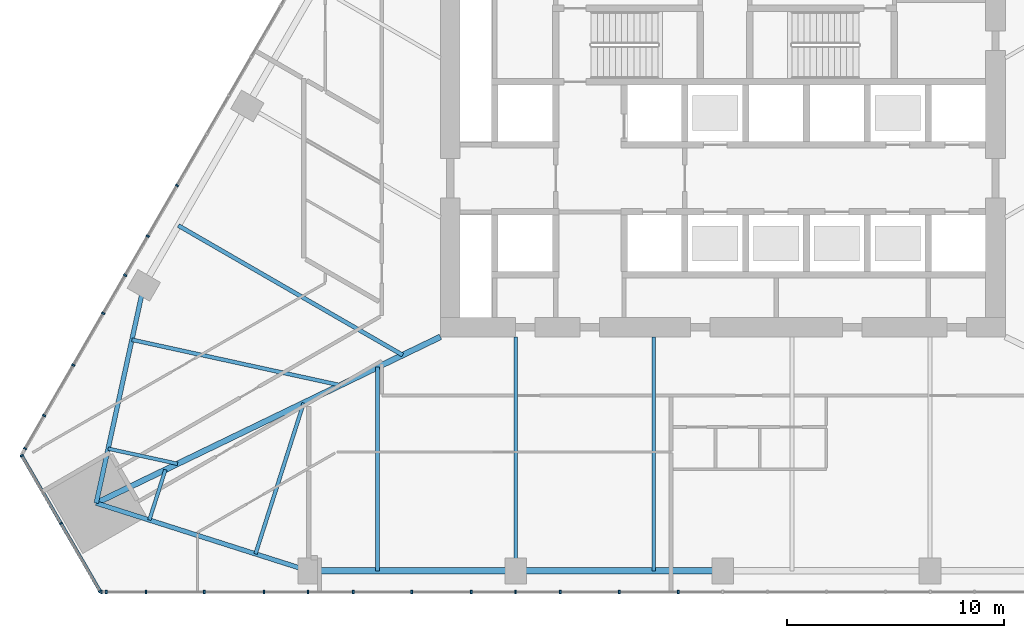
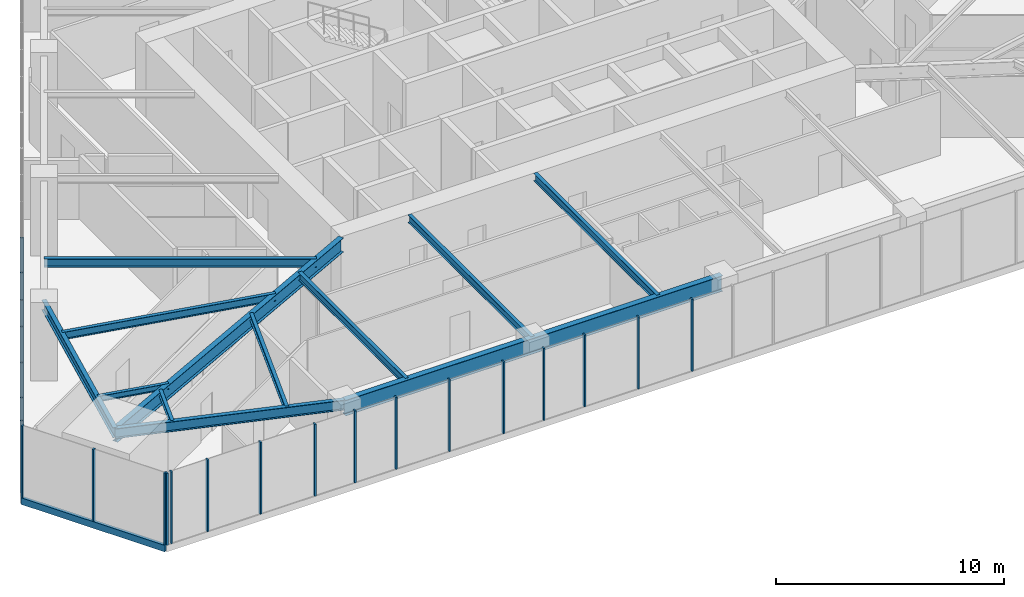
# One storey, part 2 of 26: 24 members, 12 beams, 3 elements without a shape of their own.
"""IFC4 building model written with IfcOpenShell, lengths in metres."""

from ifc_helpers import new_model, si_unit, direction, frame, origin, origin_2d, place, context, subcontext, project, spatial, rectangle, i_section, extrude, material, layer, layer_set, material_profile, profile_set, type_object, element, aggregate, save


model = new_model("IFC4")

# Units and contexts
model_context = context("Model", 3, precision=1e-05, world=origin(), true_north=direction((0.0, 1.0)))
body_context = subcontext(model_context, "Body", "Model", "MODEL_VIEW")
ifc_project = project(units=[si_unit("LENGTHUNIT", "METRE"), si_unit("AREAUNIT", "SQUARE_METRE"), si_unit("VOLUMEUNIT", "CUBIC_METRE"), si_unit("PLANEANGLEUNIT", "RADIAN"), si_unit("MASSUNIT", "GRAM", prefix="KILO")], contexts=[model_context])

# Site, building, storey
site_placement = place(None, origin())
site = spatial("IfcSite", under=ifc_project, at=site_placement, CompositionType="ELEMENT")
building_placement = place(site_placement, origin())
building = spatial("IfcBuilding", under=site, at=building_placement, Name="Firuza Gate Tower and Library", CompositionType="ELEMENT")
storey_placement = place(building_placement, frame((0.0, 0.0, 65.199951171875)))
storey = spatial("IfcBuildingStorey", under=building, at=storey_placement, Name="L14", CompositionType="ELEMENT", Elevation=65.199951171875)

# Curtain wall, members
ifc_material_1 = material(Name="Aluminium 6063-T6", Category="aluminium")
ifc_layer_1 = layer(ifc_material_1, 0.14990234375)
ifc_layer_set_1 = layer_set([ifc_layer_1], Name="Unitised curtain wall, offices")
curtain_wall_type_1 = type_object("IfcCurtainWallType", Name="Unitised curtain wall, offices", PredefinedType="NOTDEFINED", material=ifc_layer_set_1)
placement = place(storey_placement, origin())
curtain_wall_1 = element("IfcCurtainWall", 1, at=placement, inside=storey, type_object=curtain_wall_type_1, Name="CW1 L14 S face", PredefinedType="NOTDEFINED")
ifc_material_2 = material(Name="Aluminium 6063-T6", Category="aluminium")
ifc_material_profile_1 = material_profile(ifc_material_2, rectangle(XDim=0.14990234375, YDim=0.080078125, at=origin_2d()))
ifc_profile_set_1 = profile_set([ifc_material_profile_1], Name="Aluminium 6063-T6")
member_type_1 = type_object("IfcMemberType", Name="Curtain wall mullion 80x150", PredefinedType="MULLION", material=ifc_profile_set_1)
member_1_placement = place(storey_placement, frame((46.393310546875, 54.25390625, 0.150146484375), z_axis=(0.0, 0.0, 1.0), x_axis=(0.0, 1.0, 0.0)))
member_1 = element("IfcMember", 2, at=member_1_placement, type_object=member_type_1, Name="Mullion", PredefinedType="MULLION", context=body_context, shape_type="SweptSolid", body=[
    extrude(rectangle(XDim=0.14990234375, YDim=0.080078125, at=origin_2d()), origin(), (0.0, 0.0, 1.0), 3.849853515625),
])
member_2_placement = place(storey_placement, frame((51.127685546875, 54.25390625, 0.150146484375), z_axis=(0.0, 0.0, 1.0), x_axis=(0.0, 1.0, 0.0)))
member_2 = element("IfcMember", 3, at=member_2_placement, type_object=member_type_1, Name="Mullion", PredefinedType="MULLION", context=body_context, shape_type="SweptSolid", body=[
    extrude(rectangle(XDim=0.14990234375, YDim=0.080078125, at=origin_2d()), origin(), (0.0, 0.0, 1.0), 3.849853515625),
])
member_3_placement = place(storey_placement, frame((55.902099609375, 54.25390625, 0.150146484375), z_axis=(0.0, 0.0, 1.0), x_axis=(0.0, 1.0, 0.0)))
member_3 = element("IfcMember", 4, at=member_3_placement, type_object=member_type_1, Name="Mullion", PredefinedType="MULLION", context=body_context, shape_type="SweptSolid", body=[
    extrude(rectangle(XDim=0.14990234375, YDim=0.080078125, at=origin_2d()), origin(), (0.0, 0.0, 1.0), 3.849853515625),
])
member_4_placement = place(storey_placement, frame((60.6767578125, 54.25390625, 0.150146484375), z_axis=(0.0, 0.0, 1.0), x_axis=(0.0, 1.0, 0.0)))
member_4 = element("IfcMember", 5, at=member_4_placement, type_object=member_type_1, Name="Mullion", PredefinedType="MULLION", context=body_context, shape_type="SweptSolid", body=[
    extrude(rectangle(XDim=0.14990234375, YDim=0.080078125, at=origin_2d()), origin(), (0.0, 0.0, 1.0), 3.849853515625),
])
member_5_placement = place(storey_placement, frame((65.451171875, 54.25390625, 0.150146484375), z_axis=(0.0, 0.0, 1.0), x_axis=(0.0, 1.0, 0.0)))
member_5 = element("IfcMember", 6, at=member_5_placement, type_object=member_type_1, Name="Mullion", PredefinedType="MULLION", context=body_context, shape_type="SweptSolid", body=[
    extrude(rectangle(XDim=0.14990234375, YDim=0.080078125, at=origin_2d()), origin(), (0.0, 0.0, 1.0), 3.849853515625),
])
member_6_placement = place(storey_placement, frame((70.2255859375, 54.25390625, 0.150146484375), z_axis=(0.0, 0.0, 1.0), x_axis=(0.0, 1.0, 0.0)))
member_6 = element("IfcMember", 7, at=member_6_placement, type_object=member_type_1, Name="Mullion", PredefinedType="MULLION", context=body_context, shape_type="SweptSolid", body=[
    extrude(rectangle(XDim=0.14990234375, YDim=0.080078125, at=origin_2d()), origin(), (0.0, 0.0, 1.0), 3.849853515625),
])
member_7_placement = place(storey_placement, frame((46.619384765625, 54.25390625, 0.150146484375), z_axis=(0.0, 0.0, 1.0), x_axis=(0.0, 1.0, 0.0)))
member_7 = element("IfcMember", 8, at=member_7_placement, type_object=member_type_1, Name="Mullion", PredefinedType="MULLION", context=body_context, shape_type="SweptSolid", body=[
    extrude(rectangle(XDim=0.14990234375, YDim=0.080078125, at=origin_2d()), origin(), (0.0, 0.0, 1.0), 3.849853515625),
])
member_8_placement = place(storey_placement, frame((48.4462890625, 54.25390625, 0.150146484375), z_axis=(0.0, 0.0, 1.0), x_axis=(0.0, 1.0, 0.0)))
member_8 = element("IfcMember", 9, at=member_8_placement, type_object=member_type_1, Name="Mullion", PredefinedType="MULLION", context=body_context, shape_type="SweptSolid", body=[
    extrude(rectangle(XDim=0.14990234375, YDim=0.080078125, at=origin_2d()), origin(), (0.0, 0.0, 1.0), 3.849853515625),
])
member_9_placement = place(storey_placement, frame((53.88134765625, 54.25390625, 0.150146484375), z_axis=(0.0, 0.0, 1.0), x_axis=(0.0, 1.0, 0.0)))
member_9 = element("IfcMember", 10, at=member_9_placement, type_object=member_type_1, Name="Mullion", PredefinedType="MULLION", context=body_context, shape_type="SweptSolid", body=[
    extrude(rectangle(XDim=0.14990234375, YDim=0.080078125, at=origin_2d()), origin(), (0.0, 0.0, 1.0), 3.849853515625),
])
member_10_placement = place(storey_placement, frame((57.980712890625, 54.25390625, 0.150146484375), z_axis=(0.0, 0.0, 1.0), x_axis=(0.0, 1.0, 0.0)))
member_10 = element("IfcMember", 11, at=member_10_placement, type_object=member_type_1, Name="Mullion", PredefinedType="MULLION", context=body_context, shape_type="SweptSolid", body=[
    extrude(rectangle(XDim=0.14990234375, YDim=0.080078125, at=origin_2d()), origin(), (0.0, 0.0, 1.0), 3.849853515625),
])
member_11_placement = place(storey_placement, frame((63.415771484375, 54.25390625, 0.150146484375), z_axis=(0.0, 0.0, 1.0), x_axis=(0.0, 1.0, 0.0)))
member_11 = element("IfcMember", 12, at=member_11_placement, type_object=member_type_1, Name="Mullion", PredefinedType="MULLION", context=body_context, shape_type="SweptSolid", body=[
    extrude(rectangle(XDim=0.14990234375, YDim=0.080078125, at=origin_2d()), origin(), (0.0, 0.0, 1.0), 3.849853515625),
])
member_12_placement = place(storey_placement, frame((67.51513671875, 54.25390625, 0.150146484375), z_axis=(0.0, 0.0, 1.0), x_axis=(0.0, 1.0, 0.0)))
member_12 = element("IfcMember", 13, at=member_12_placement, type_object=member_type_1, Name="Mullion", PredefinedType="MULLION", context=body_context, shape_type="SweptSolid", body=[
    extrude(rectangle(XDim=0.14990234375, YDim=0.080078125, at=origin_2d()), origin(), (0.0, 0.0, 1.0), 3.849853515625),
])
member_13_placement = place(storey_placement, frame((72.9501953125, 54.25390625, 0.150146484375), z_axis=(0.0, 0.0, 1.0), x_axis=(0.0, 1.0, 0.0)))
member_13 = element("IfcMember", 14, at=member_13_placement, type_object=member_type_1, Name="Mullion", PredefinedType="MULLION", context=body_context, shape_type="SweptSolid", body=[
    extrude(rectangle(XDim=0.14990234375, YDim=0.080078125, at=origin_2d()), origin(), (0.0, 0.0, 1.0), 3.849853515625),
])
aggregate(curtain_wall_1, [member_1, member_2, member_3, member_4, member_5, member_6, member_7, member_8, member_9, member_10, member_11, member_12, member_13])

curtain_wall_2 = element("IfcCurtainWall", 15, at=placement, inside=storey, type_object=curtain_wall_type_1, Name="CW1 L14 W face", PredefinedType="NOTDEFINED")
member_14_placement = place(storey_placement, frame((49.87158203125, 72.96875, 0.150146484375), z_axis=(0.0, 0.0, 1.0), x_axis=(0.866025403784, -0.5, 0.0)))
member_14 = element("IfcMember", 16, at=member_14_placement, type_object=member_type_1, Name="Mullion", PredefinedType="MULLION", context=body_context, shape_type="SweptSolid", body=[
    extrude(rectangle(XDim=0.14990234375, YDim=0.080078125, at=origin_2d()), origin(), (0.0, 0.0, 1.0), 3.849853515625),
])
member_15_placement = place(storey_placement, frame((47.484375, 68.833984375, 0.150146484375), z_axis=(0.0, 0.0, 1.0), x_axis=(0.866025403784, -0.5, 0.0)))
member_15 = element("IfcMember", 17, at=member_15_placement, type_object=member_type_1, Name="Mullion", PredefinedType="MULLION", context=body_context, shape_type="SweptSolid", body=[
    extrude(rectangle(XDim=0.14990234375, YDim=0.080078125, at=origin_2d()), origin(), (0.0, 0.0, 1.0), 3.849853515625),
])
member_16_placement = place(storey_placement, frame((45.09716796875, 64.698974609375, 0.150146484375), z_axis=(0.0, 0.0, 1.0), x_axis=(0.866025403784, -0.5, 0.0)))
member_16 = element("IfcMember", 18, at=member_16_placement, type_object=member_type_1, Name="Mullion", PredefinedType="MULLION", context=body_context, shape_type="SweptSolid", body=[
    extrude(rectangle(XDim=0.14990234375, YDim=0.080078125, at=origin_2d()), origin(), (0.0, 0.0, 1.0), 3.849853515625),
])
member_17_placement = place(storey_placement, frame((48.523681640625, 70.634033203125, 0.150146484375), z_axis=(0.0, 0.0, 1.0), x_axis=(0.866025403784, -0.5, 0.0)))
member_17 = element("IfcMember", 19, at=member_17_placement, type_object=member_type_1, Name="Mullion", PredefinedType="MULLION", context=body_context, shape_type="SweptSolid", body=[
    extrude(rectangle(XDim=0.14990234375, YDim=0.080078125, at=origin_2d()), origin(), (0.0, 0.0, 1.0), 3.849853515625),
])
member_18_placement = place(storey_placement, frame((46.47412109375, 67.083740234375, 0.150146484375), z_axis=(0.0, 0.0, 1.0), x_axis=(0.866025403784, -0.5, 0.0)))
member_18 = element("IfcMember", 20, at=member_18_placement, type_object=member_type_1, Name="Mullion", PredefinedType="MULLION", context=body_context, shape_type="SweptSolid", body=[
    extrude(rectangle(XDim=0.14990234375, YDim=0.080078125, at=origin_2d()), origin(), (0.0, 0.0, 1.0), 3.849853515625),
])
member_19_placement = place(storey_placement, frame((43.756591796875, 62.376953125, 0.150146484375), z_axis=(0.0, 0.0, 1.0), x_axis=(0.866025403784, -0.5, 0.0)))
member_19 = element("IfcMember", 21, at=member_19_placement, type_object=member_type_1, Name="Mullion", PredefinedType="MULLION", context=body_context, shape_type="SweptSolid", body=[
    extrude(rectangle(XDim=0.14990234375, YDim=0.080078125, at=origin_2d()), origin(), (0.0, 0.0, 1.0), 3.849853515625),
])
member_20_placement = place(storey_placement, frame((42.875732421875, 60.85107421875, 0.150146484375), z_axis=(0.0, 0.0, 1.0), x_axis=(0.866025403784, -0.5, 0.0)))
member_20 = element("IfcMember", 22, at=member_20_placement, type_object=member_type_1, Name="Mullion", PredefinedType="MULLION", context=body_context, shape_type="SweptSolid", body=[
    extrude(rectangle(XDim=0.14990234375, YDim=0.080078125, at=origin_2d()), origin(), (0.0, 0.0, 1.0), 3.849853515625),
])
aggregate(curtain_wall_2, [member_14, member_15, member_16, member_17, member_18, member_19, member_20])

ifc_material_3 = material(Name="Aluminium 6063-T6", Category="aluminium")
ifc_layer_2 = layer(ifc_material_3, 0.14990234375)
ifc_layer_set_2 = layer_set([ifc_layer_2], Name="Corner curtain wall, chamfers")
curtain_wall_type_2 = type_object("IfcCurtainWallType", Name="Corner curtain wall, chamfers", PredefinedType="NOTDEFINED", material=ifc_layer_set_2)
curtain_wall_3 = element("IfcCurtainWall", 23, at=placement, inside=storey, type_object=curtain_wall_type_2, Name="CW4 L14 SW corner", PredefinedType="NOTDEFINED")
member_21_placement = place(storey_placement, frame((42.72998046875, 60.529541015625, 0.150146484375), z_axis=(0.0, 0.0, 1.0), x_axis=(0.866025403784, 0.5, 0.0)))
member_21 = element("IfcMember", 24, at=member_21_placement, type_object=member_type_1, Name="Mullion", PredefinedType="MULLION", context=body_context, shape_type="SweptSolid", body=[
    extrude(rectangle(XDim=0.14990234375, YDim=0.080078125, at=origin_2d()), origin(), (0.0, 0.0, 1.0), 3.849853515625),
])
member_22_placement = place(storey_placement, frame((44.53173828125, 57.4091796875, 0.150146484375), z_axis=(0.0, 0.0, 1.0), x_axis=(0.866025403784, 0.5, 0.0)))
member_22 = element("IfcMember", 25, at=member_22_placement, type_object=member_type_1, Name="Mullion", PredefinedType="MULLION", context=body_context, shape_type="SweptSolid", body=[
    extrude(rectangle(XDim=0.14990234375, YDim=0.080078125, at=origin_2d()), origin(), (0.0, 0.0, 1.0), 3.849853515625),
])
member_23_placement = place(storey_placement, frame((46.333251953125, 54.28857421875, 0.150146484375), z_axis=(0.0, 0.0, 1.0), x_axis=(0.866025403784, 0.5, 0.0)))
member_23 = element("IfcMember", 26, at=member_23_placement, type_object=member_type_1, Name="Mullion", PredefinedType="MULLION", context=body_context, shape_type="SweptSolid", body=[
    extrude(rectangle(XDim=0.14990234375, YDim=0.080078125, at=origin_2d()), origin(), (0.0, 0.0, 1.0), 3.849853515625),
])
ifc_material_4 = material(Name="Aluminium 6063-T6", Category="aluminium")
ifc_material_profile_2 = material_profile(ifc_material_4, rectangle(XDim=0.14990234375, YDim=0.35009765625, at=origin_2d()))
ifc_profile_set_2 = profile_set([ifc_material_profile_2], Name="Aluminium 6063-T6")
member_type_2 = type_object("IfcMemberType", Name="Curtain wall transom 350x150", PredefinedType="USERDEFINED", material=ifc_profile_set_2)
member_24_placement = place(storey_placement, frame((42.7099609375, 60.564208984375, -0.02490234375), z_axis=(0.500005719219, -0.866022101766, 0.0), x_axis=(0.866022101766, 0.500005719219, 0.0)))
member_24 = element("IfcMember", 27, at=member_24_placement, type_object=member_type_2, Name="Transom", ObjectType="TRANSOM", PredefinedType="USERDEFINED", context=body_context, shape_type="SweptSolid", body=[
    extrude(rectangle(XDim=0.14990234375, YDim=0.35009765625, at=origin_2d()), origin(), (0.0, 0.0, 1.0), 7.28662109375),
])
aggregate(curtain_wall_3, [member_21, member_22, member_23, member_24])

# Beams
ifc_material_5 = material(Name="Steel S355", Category="steel")
ifc_material_profile_3 = material_profile(ifc_material_5, i_section(OverallWidth=0.1650390625, OverallDepth=0.31005859375, WebThickness=0.005859375, FlangeThickness=0.009765625, at=origin_2d()))
ifc_profile_set_3 = profile_set([ifc_material_profile_3], Name="Steel S355")
beam_type_1 = type_object("IfcBeamType", Name="W310x39 Floor beam", PredefinedType="JOIST", material=ifc_profile_set_3)
beam_1_placement = place(storey_placement, frame((46.702392578125, 60.852783203125, 3.844970703125), z_axis=(0.977001633278, -0.213231818855, 0.0), x_axis=(0.213231818855, 0.977001633278, 0.0)))
element("IfcBeam", 28, at=beam_1_placement, inside=storey, type_object=beam_type_1, Name="Floor beam L14 s01", PredefinedType="JOIST", context=body_context, shape_type="SweptSolid", body=[
    extrude(i_section(OverallWidth=0.1650390625, OverallDepth=0.31005859375, WebThickness=0.005859375, FlangeThickness=0.009765625, at=origin_2d()), origin(), (0.0, 0.0, 1.0), 3.272216796875),
])
beam_2_placement = place(storey_placement, frame((48.599365234375, 57.567138671875, 3.844970703125), z_axis=(0.303883149111, 0.952709311221, 0.0), x_axis=(-0.952709311221, 0.303883149111, 0.0)))
element("IfcBeam", 29, at=beam_2_placement, inside=storey, type_object=beam_type_1, Name="Floor beam L14 s10", PredefinedType="JOIST", context=body_context, shape_type="SweptSolid", body=[
    extrude(i_section(OverallWidth=0.1650390625, OverallDepth=0.31005859375, WebThickness=0.005859375, FlangeThickness=0.009765625, at=origin_2d()), origin(), (0.0, 0.0, 1.0), 2.431884765625),
])
ifc_material_6 = material(Name="Steel S355", Category="steel")
ifc_material_profile_4 = material_profile(ifc_material_6, i_section(OverallWidth=0.1708984375, OverallDepth=0.35498046875, WebThickness=0.007080078125, FlangeThickness=0.01171875, at=origin_2d()))
ifc_profile_set_4 = profile_set([ifc_material_profile_4], Name="Steel S355")
beam_type_2 = type_object("IfcBeamType", Name="W360x51 Floor beam", PredefinedType="JOIST", material=ifc_profile_set_4)
beam_3_placement = place(storey_placement, frame((53.4873046875, 56.00830078125, 3.822509765625), z_axis=(0.303832087289, 0.952725596766, 0.0), x_axis=(-0.952725596766, 0.303832087289, 0.0)))
element("IfcBeam", 30, at=beam_3_placement, inside=storey, type_object=beam_type_2, Name="Floor beam L14 s11", PredefinedType="JOIST", context=body_context, shape_type="SweptSolid", body=[
    extrude(i_section(OverallWidth=0.1708984375, OverallDepth=0.35498046875, WebThickness=0.007080078125, FlangeThickness=0.01171875, at=origin_2d()), origin(), (0.0, 0.0, 1.0), 7.29541015625),
])
ifc_material_7 = material(Name="Steel S355", Category="steel")
ifc_material_profile_5 = material_profile(ifc_material_7, i_section(OverallWidth=0.177978515625, OverallDepth=0.406982421875, WebThickness=0.0078125, FlangeThickness=0.0126953125, at=origin_2d()))
ifc_profile_set_5 = profile_set([ifc_material_profile_5], Name="Steel S355")
beam_type_3 = type_object("IfcBeamType", Name="W410x60 Floor beam", PredefinedType="JOIST", material=ifc_profile_set_5)
beam_4_placement = place(storey_placement, frame((47.79638671875, 65.865234375, 3.796630859375), z_axis=(0.977001633278, -0.213231818855, 0.0), x_axis=(0.213231818855, 0.977001633278, 0.0)))
element("IfcBeam", 31, at=beam_4_placement, inside=storey, type_object=beam_type_3, Name="Floor beam L14 s00", PredefinedType="JOIST", context=body_context, shape_type="SweptSolid", body=[
    extrude(i_section(OverallWidth=0.177978515625, OverallDepth=0.406982421875, WebThickness=0.0078125, FlangeThickness=0.0126953125, at=origin_2d()), origin(), (0.0, 0.0, 1.0), 9.81689453125),
])
beam_5_placement = place(storey_placement, frame((59.109130859375, 55.22900390625, 3.796630859375), z_axis=(0.0, 1.0, 0.0), x_axis=(-1.0, 0.0, 0.0)))
element("IfcBeam", 32, at=beam_5_placement, inside=storey, type_object=beam_type_3, Name="Floor beam L14 s20", PredefinedType="JOIST", context=body_context, shape_type="SweptSolid", body=[
    extrude(i_section(OverallWidth=0.177978515625, OverallDepth=0.406982421875, WebThickness=0.0078125, FlangeThickness=0.0126953125, at=origin_2d()), origin(), (0.0, 0.0, 1.0), 9.374755859375),
])
for number, where, z_axis, x_axis, name in (
    (33, (65.465576171875, 55.22900390625, 3.796630859375), (0.0, 1.0, 0.0), (-1.0, 0.0, 0.0), "Floor beam L14 s21"),
    (34, (71.82177734375, 55.22900390625, 3.796630859375), (0.0, 1.0, 0.0), (-1.0, 0.0, 0.0), "Floor beam L14 s22"),
):
    element("IfcBeam", number, at=place(storey_placement, frame(where, z_axis=z_axis, x_axis=x_axis)), inside=storey, type_object=beam_type_3, Name=name, PredefinedType="JOIST", context=body_context, shape_type="SweptSolid", body=[
        extrude(i_section(OverallWidth=0.177978515625, OverallDepth=0.406982421875, WebThickness=0.0078125, FlangeThickness=0.0126953125, at=origin_2d()), origin(), (0.0, 0.0, 1.0), 10.77099609375),
    ])
ifc_material_8 = material(Name="Steel S355", Category="steel")
ifc_material_profile_6 = material_profile(ifc_material_8, i_section(OverallWidth=0.18994140625, OverallDepth=0.45703125, WebThickness=0.009033203125, FlangeThickness=0.014404296875, at=origin_2d()))
ifc_profile_set_6 = profile_set([ifc_material_profile_6], Name="Steel S355")
beam_type_4 = type_object("IfcBeamType", Name="W460x74 Floor beam", PredefinedType="JOIST", material=ifc_profile_set_6)
beam_6_placement = place(storey_placement, frame((49.932373046875, 71.123779296875, 3.771484375), z_axis=(0.866021283888, -0.500007135802, 0.0), x_axis=(0.500007135802, 0.866021283888, 0.0)))
element("IfcBeam", 35, at=beam_6_placement, inside=storey, type_object=beam_type_4, Name="Floor beam L14 s85", PredefinedType="JOIST", context=body_context, shape_type="SweptSolid", body=[
    extrude(i_section(OverallWidth=0.18994140625, OverallDepth=0.45703125, WebThickness=0.009033203125, FlangeThickness=0.014404296875, at=origin_2d()), origin(), (0.0, 0.0, 1.0), 11.927001953125),
])
ifc_material_9 = material(Name="Steel S355", Category="steel")
ifc_material_profile_7 = material_profile(ifc_material_9, i_section(OverallWidth=0.212890625, OverallDepth=0.5390625, WebThickness=0.01171875, FlangeThickness=0.018798828125, at=origin_2d()))
ifc_profile_set_7 = profile_set([ifc_material_profile_7], Name="Steel S355")
beam_type_5 = type_object("IfcBeamType", Name="W530x109 Edge beam", PredefinedType="SPANDREL", material=ifc_profile_set_7)
beam_7_placement = place(storey_placement, frame((48.34326171875, 68.371337890625, 3.73046875), z_axis=(-0.21321786896, -0.977004677756, 0.0), x_axis=(0.977004677756, -0.21321786896, 0.0)))
element("IfcBeam", 36, at=beam_7_placement, inside=storey, type_object=beam_type_5, Name="Edge beam L14 e00", PredefinedType="SPANDREL", context=body_context, shape_type="SweptSolid", body=[
    extrude(i_section(OverallWidth=0.212890625, OverallDepth=0.5390625, WebThickness=0.01171875, FlangeThickness=0.018798828125, at=origin_2d()), origin(), (0.0, 0.0, 1.0), 10.260498046875),
])
beam_8_placement = place(storey_placement, frame((46.155517578125, 58.3466796875, 3.73046875), z_axis=(0.952721510235, -0.303844901119, 0.0), x_axis=(0.303844901119, 0.952721510235, 0.0)))
element("IfcBeam", 37, at=beam_8_placement, inside=storey, type_object=beam_type_5, Name="Edge beam L14 e10", PredefinedType="SPANDREL", context=body_context, shape_type="SweptSolid", body=[
    extrude(i_section(OverallWidth=0.212890625, OverallDepth=0.5390625, WebThickness=0.01171875, FlangeThickness=0.018798828125, at=origin_2d()), origin(), (0.0, 0.0, 1.0), 10.2607421875),
])
ifc_material_10 = material(Name="Steel S355", Category="steel")
ifc_material_profile_8 = material_profile(ifc_material_10, i_section(OverallWidth=0.264892578125, OverallDepth=0.7529296875, WebThickness=0.01318359375, FlangeThickness=0.01708984375, at=origin_2d()))
ifc_profile_set_8 = profile_set([ifc_material_profile_8], Name="Steel S355")
beam_type_6 = type_object("IfcBeamType", Name="W760x147 Girder", PredefinedType="BEAM", material=ifc_profile_set_8)
beam_9_placement = place(storey_placement, frame((46.155517578125, 58.3466796875, 3.62353515625), z_axis=(0.90045683322, 0.434945389109, 0.0), x_axis=(-0.434945389109, 0.90045683322, 0.0)))
element("IfcBeam", 38, at=beam_9_placement, inside=storey, type_object=beam_type_6, Name="Girder L14 gSW", PredefinedType="BEAM", context=body_context, shape_type="SweptSolid", body=[
    extrude(i_section(OverallWidth=0.264892578125, OverallDepth=0.7529296875, WebThickness=0.01318359375, FlangeThickness=0.01708984375, at=origin_2d()), origin(), (0.0, 0.0, 1.0), 17.595947265625),
])
ifc_material_11 = material(Name="Steel S355", Category="steel")
ifc_material_profile_9 = material_profile(ifc_material_11, i_section(OverallWidth=0.2919921875, OverallDepth=0.8349609375, WebThickness=0.013916015625, FlangeThickness=0.018798828125, at=origin_2d()))
ifc_profile_set_9 = profile_set([ifc_material_profile_9], Name="Steel S355")
beam_type_7 = type_object("IfcBeamType", Name="W840x176 Edge beam", PredefinedType="SPANDREL", material=ifc_profile_set_9)
beam_10_placement = place(storey_placement, frame((55.93115234375, 55.22900390625, 3.58251953125), z_axis=(1.0, 0.0, 0.0), x_axis=(0.0, 1.0, 0.0)))
element("IfcBeam", 39, at=beam_10_placement, inside=storey, type_object=beam_type_7, Name="Edge beam L14 e20", PredefinedType="SPANDREL", context=body_context, shape_type="SweptSolid", body=[
    extrude(i_section(OverallWidth=0.2919921875, OverallDepth=0.8349609375, WebThickness=0.013916015625, FlangeThickness=0.018798828125, at=origin_2d()), origin(), (0.0, 0.0, 1.0), 19.06884765625),
])

save(model, "model.ifc")
